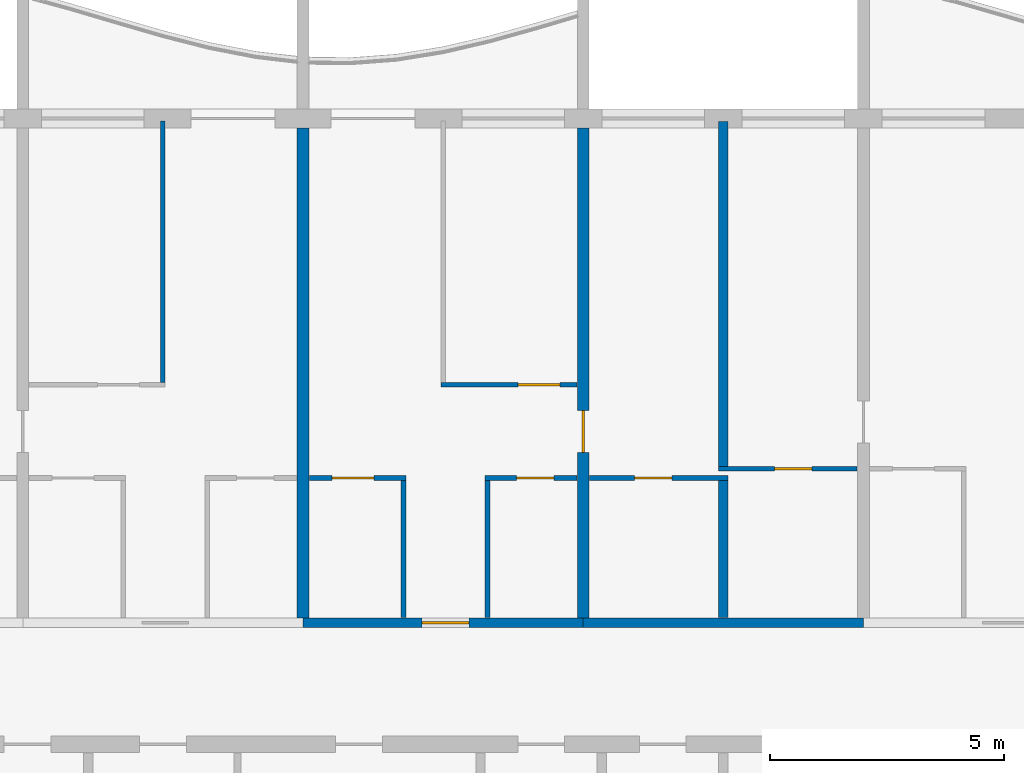
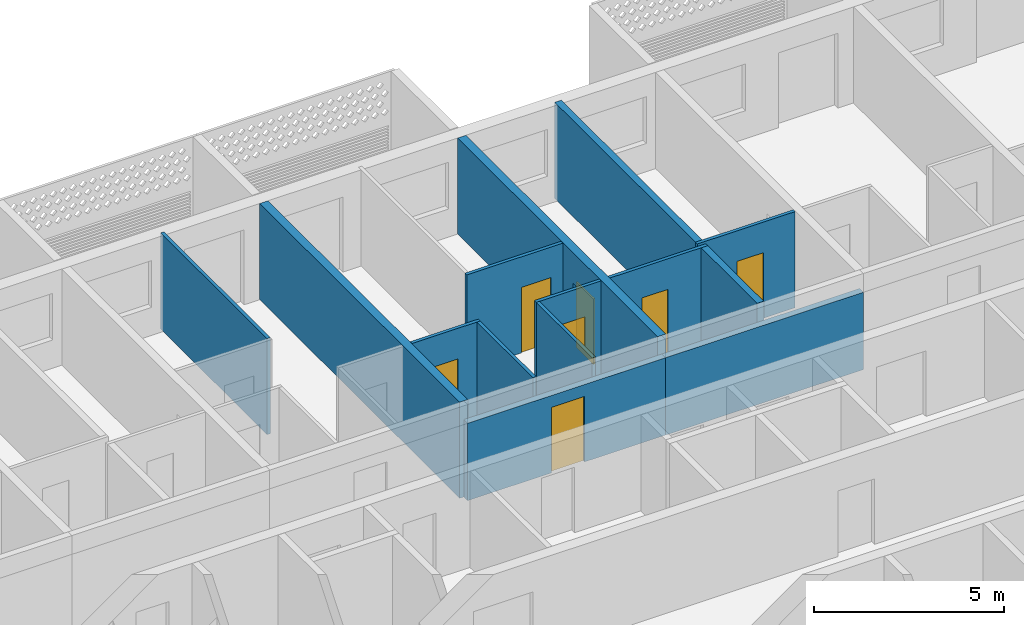
# One storey, part 9 of 27: 14 walls, 7 doors, 7 openings.
"""IFC4 building model written with IfcOpenShell, lengths in metres."""

import ifcopenshell
import ifcopenshell.guid

model = None  # the IFC model being written
_history = None  # IfcOwnerHistory: only IFC2X3 demands one
_inside = {}  # id of a spatial element -> (the spatial element, [elements in it])
_under = {}  # id of a project, library or spatial element -> (it, [spatial elements below it])
_declared = {}  # id of a project -> (the project, [libraries it declares])
_typed = {}  # id of a type object -> (the type object, [elements of that type])
_made_of = {}  # id of a material, layer set ... -> (it, [elements and type objects made of it])


def new_model(schema):
    """Start an empty IFC model of exactly this schema.

    Asked for "IFC4X3", IfcOpenShell would pick the latest addendum, in which some entities
    have other attributes; the version numbers below select the first issue.
    IFC2X3 requires an IfcOwnerHistory on every rooted entity: one is made here for all.
    """
    global model, _history
    if schema == "IFC4X3":
        model = ifcopenshell.file(schema_version=(4, 3, 0, 0))
    else:
        model = ifcopenshell.file(schema=schema)
    _inside.clear()
    _under.clear()
    _declared.clear()
    _typed.clear()
    _made_of.clear()
    _history = None
    if model.schema == "IFC2X3":
        org = make("IfcOrganization", Name="unknown")
        user = make(
            "IfcPersonAndOrganization",
            ThePerson=make("IfcPerson", FamilyName="unknown"),
            TheOrganization=org,
        )
        app = make(
            "IfcApplication",
            ApplicationDeveloper=org,
            Version="unknown",
            ApplicationFullName="unknown",
            ApplicationIdentifier="unknown",
        )
        _history = make(
            "IfcOwnerHistory",
            OwningUser=user,
            OwningApplication=app,
            ChangeAction="ADDED",
            CreationDate=0,
        )
    return model


def make(cls, **values):
    """One entity of the class cls with the attributes given. An attribute that is None is left unset."""
    return model.create_entity(
        cls, **{name: value for name, value in values.items() if value is not None}
    )


def rooted(cls, **values):
    """An entity with a GlobalId (a new one), such as an element, a storey or a relation."""
    return make(cls, GlobalId=ifcopenshell.guid.new(), OwnerHistory=_history, **values)


def si_unit(unit_type, name, prefix=None):
    """IfcSIUnit, for example si_unit("LENGTHUNIT", "METRE", prefix="MILLI")."""
    return make("IfcSIUnit", UnitType=unit_type, Prefix=prefix, Name=name)


def assignment(units):
    """IfcUnitAssignment: the units of a project."""
    return None if units is None else make("IfcUnitAssignment", Units=units)


def point(xyz):
    """IfcCartesianPoint."""
    return None if xyz is None else make("IfcCartesianPoint", Coordinates=xyz)


def direction(xyz):
    """IfcDirection."""
    return None if xyz is None else make("IfcDirection", DirectionRatios=xyz)


def frame(location, z_axis=None, x_axis=None):
    """IfcAxis2Placement3D, a coordinate frame: its origin and axes. An axis left out is left unset."""
    return make(
        "IfcAxis2Placement3D",
        Location=point(location),
        Axis=direction(z_axis),
        RefDirection=direction(x_axis),
    )


def frame_2d(location, x_axis=None):
    """IfcAxis2Placement2D, a coordinate frame in the plane: its origin and x axis."""
    return make(
        "IfcAxis2Placement2D", Location=point(location), RefDirection=direction(x_axis)
    )


def origin():
    """The frame at (0, 0, 0) with its axes left unset."""
    return frame((0.0, 0.0, 0.0))


def place(relative_to, where):
    """IfcLocalPlacement: puts the frame where relative to a parent placement (None: the world)."""
    return make(
        "IfcLocalPlacement", PlacementRelTo=relative_to, RelativePlacement=where
    )


def context(
    kind, dimensions, precision=None, world=None, true_north=None, identifier=None
):
    """IfcGeometricRepresentationContext, for example the 3D "Model" context."""
    return make(
        "IfcGeometricRepresentationContext",
        ContextIdentifier=identifier,
        ContextType=kind,
        CoordinateSpaceDimension=dimensions,
        Precision=precision,
        WorldCoordinateSystem=world,
        TrueNorth=true_north,
    )


def subcontext(parent, identifier, kind, view, scale=None):
    """IfcGeometricRepresentationSubContext, for example "Body" below "Model"."""
    return make(
        "IfcGeometricRepresentationSubContext",
        ContextIdentifier=identifier,
        ContextType=kind,
        ParentContext=parent,
        TargetScale=scale,
        TargetView=view,
    )


def project(units=None, contexts=None):
    """IfcProject with its units and contexts."""
    return rooted(
        "IfcProject",
        Name="project",
        RepresentationContexts=contexts,
        UnitsInContext=assignment(units),
    )


def spatial(cls, under=None, at=None, **own):
    """A site, building, storey or space (cls), placed at a placement, below another one or the project."""
    s = rooted(cls, ObjectPlacement=at, **own)
    if under is not None:
        _under.setdefault(under.id(), (under, []))[1].append(s)
    return s


def profile(cls, at=None, kind="AREA", **sizes):
    """A parametric profile (cls). Its sizes go by their IFC names, for example OverallWidth=200.0."""
    return make(cls, ProfileType=kind, Position=at, **sizes)


def rectangle(**sizes):
    """IfcRectangleProfileDef."""
    return profile("IfcRectangleProfileDef", **sizes)


def extrude(swept, where, along, depth):
    """IfcExtrudedAreaSolid: the profile swept, set in the frame where, extruded along a direction by depth."""
    return make(
        "IfcExtrudedAreaSolid",
        SweptArea=swept,
        Position=where,
        ExtrudedDirection=direction(along),
        Depth=depth,
    )


def shape(context_of_items, identifier, shape_type, items):
    """IfcShapeRepresentation: the items that make up one representation, for example the "Body"."""
    return make(
        "IfcShapeRepresentation",
        ContextOfItems=context_of_items,
        RepresentationIdentifier=identifier,
        RepresentationType=shape_type,
        Items=items,
    )


def material(Name=None, Category=None):
    """IfcMaterial."""
    return make("IfcMaterial", Name=Name, Category=Category)


def layer(
    of_material, thickness, ventilated=None, Name=None, Category=None, Priority=None
):
    """IfcMaterialLayer: one layer of a wall or slab, of a material (None: an air gap)."""
    return make(
        "IfcMaterialLayer",
        Material=of_material,
        LayerThickness=thickness,
        IsVentilated=ventilated,
        Name=Name,
        Category=Category,
        Priority=Priority,
    )


def layer_set(layers, Name=None):
    """IfcMaterialLayerSet."""
    return make("IfcMaterialLayerSet", MaterialLayers=layers, LayerSetName=Name)


def made_of(thing, what):
    """Note that an element or type object is made of a material, layer set ...; save() writes the relation."""
    if what is not None:
        _made_of.setdefault(what.id(), (what, []))[1].append(thing)
    return thing


def type_object(cls, material=None, **own):
    """A type object (cls), such as IfcWallType, which elements share."""
    return made_of(rooted(cls, **own), material)


def element(
    cls,
    number,
    at=None,
    inside=None,
    cuts=None,
    type_object=None,
    material=None,
    context=None,
    identifier="Body",
    shape_type=None,
    held_by="IfcProductDefinitionShape",
    body=None,
    shapes=None,
    **own,
):
    """One element of the class cls, such as IfcWall. Its Tag is "e" and its number.

    at: its placement. inside: the storey or other place that contains it. cuts: it is an
    opening in that element (IfcRelVoidsElement). A single representation is given by context,
    identifier, shape_type and body (its items); several are given by shapes. held_by: the class
    of the entity that holds the representations. save() writes the other relations.
    """
    e = rooted(cls, Tag="e%d" % number, ObjectPlacement=at, **own)
    if body is not None:
        shapes = [shape(context, identifier, shape_type, body)]
    if shapes is not None:
        e.Representation = make(held_by, Representations=shapes)
    if inside is not None:
        _inside.setdefault(inside.id(), (inside, []))[1].append(e)
    if cuts is not None:
        rooted(
            "IfcRelVoidsElement", RelatingBuildingElement=cuts, RelatedOpeningElement=e
        )
    if type_object is not None:
        _typed.setdefault(type_object.id(), (type_object, []))[1].append(e)
    return made_of(e, material)


def fill(opening, filler):
    """IfcRelFillsElement: the door or window that sits in an opening."""
    return rooted(
        "IfcRelFillsElement",
        RelatingOpeningElement=opening,
        RelatedBuildingElement=filler,
    )


def aggregate(whole, parts):
    """IfcRelAggregates: a whole, such as a stair, and the parts it consists of."""
    return rooted("IfcRelAggregates", RelatingObject=whole, RelatedObjects=parts)


def save(model, path):
    """Write the relations noted so far, then the file.

    IfcRelAggregates (storeys below a building ...), IfcRelContainedInSpatialStructure (elements
    in a storey), IfcRelDefinesByType, IfcRelAssociatesMaterial and IfcRelDeclares: one each for
    every whole, place, type object, material and project.
    """
    for whole, parts in _under.values():
        aggregate(whole, parts)
    for where, things in _inside.values():
        rooted(
            "IfcRelContainedInSpatialStructure",
            RelatedElements=things,
            RelatingStructure=where,
        )
    for kind, things in _typed.values():
        rooted("IfcRelDefinesByType", RelatedObjects=things, RelatingType=kind)
    for what, things in _made_of.values():
        rooted("IfcRelAssociatesMaterial", RelatedObjects=things, RelatingMaterial=what)
    for by, libraries in _declared.values():
        rooted("IfcRelDeclares", RelatingContext=by, RelatedDefinitions=libraries)
    model.write(path)


model = new_model("IFC4")

# Units and contexts
model_context = context("Model", 3, precision=1e-05, world=origin(), true_north=direction((0.0, 1.0)))
body_context = subcontext(model_context, "Body", "Model", "MODEL_VIEW")
ifc_project = project(units=[si_unit("LENGTHUNIT", "METRE"), si_unit("AREAUNIT", "SQUARE_METRE"), si_unit("VOLUMEUNIT", "CUBIC_METRE"), si_unit("PLANEANGLEUNIT", "RADIAN"), si_unit("MASSUNIT", "GRAM", prefix="KILO")], contexts=[model_context])

# Site, building, storey
site_placement = place(None, origin())
site = spatial("IfcSite", under=ifc_project, at=site_placement, CompositionType="ELEMENT")
building_placement = place(site_placement, origin())
building = spatial("IfcBuilding", under=site, at=building_placement, Name="Poui Terraces", CompositionType="ELEMENT")
storey_placement = place(building_placement, frame((0.0, 0.0, 254.39990234375)))
storey = spatial("IfcBuildingStorey", under=building, at=storey_placement, Name="L71", CompositionType="ELEMENT", Elevation=254.39990234375)

# Wall, opening, door
ifc_material_1 = material(Name="Concrete 50 MPa", Category="concrete")
ifc_layer_1 = layer(ifc_material_1, 0.199951171875)
ifc_layer_set_1 = layer_set([ifc_layer_1], Name="Concrete 50 MPa")
wall_type_1 = type_object("IfcWallType", Name="CORRIDOR WALL 200 50MPa", PredefinedType="SHEAR", material=ifc_layer_set_1)
wall_1_placement = place(storey_placement, frame((54.0, 30.39990234375, 0.0), z_axis=(0.0, 0.0, 1.0), x_axis=(1.0, 0.0, 0.0)))
wall_1 = element("IfcWall", 1, at=wall_1_placement, inside=storey, type_object=wall_type_1, Name="CORRIDOR WALL LINE E BAY 7", PredefinedType="SHEAR", context=body_context, shape_type="SweptSolid", body=[
    extrude(rectangle(XDim=6.0, YDim=0.199951171875, at=frame_2d((3.0, 0.0))), origin(), (0.0, 0.0, 1.0), 2.47998046875),
])
opening_1_placement = place(wall_1_placement, frame((2.550048828125, 0.0, 0.0)))
opening_1 = element("IfcOpeningElement", 2, at=opening_1_placement, cuts=wall_1, Name="Opening FD30S", PredefinedType="OPENING", context=body_context, shape_type="SweptSolid", body=[
    extrude(rectangle(XDim=1.0, YDim=2.10009765625, at=frame_2d((0.5, 1.050048828125))), frame((0.0, 0.10986328125, 0.0), z_axis=(0.0, -1.0, 0.0), x_axis=(1.0, 0.0, 0.0)), (0.0, 0.0, 1.0), 0.219970703125),
])
ifc_material_2 = material(Name="Steel fire door", Category="steel")
door_type_1 = type_object("IfcDoorType", Name="FLAT ENTRANCE DOOR 1000 X 2100", OperationType="NOTDEFINED", PredefinedType="DOOR", material=ifc_material_2)
door_1_placement = place(opening_1_placement, origin())
door_1 = element("IfcDoor", 3, at=door_1_placement, inside=storey, type_object=door_type_1, Name="FLAT ENTRANCE DOOR 048", OperationType="SINGLE_SWING_RIGHT", OverallHeight=2.10009765625, OverallWidth=1.0, PredefinedType="DOOR", context=body_context, shape_type="SweptSolid", body=[
    extrude(rectangle(XDim=1.0, YDim=2.10009765625, at=frame_2d((0.5, 1.050048828125))), frame((0.0, 0.02490234375, 0.0), z_axis=(0.0, -1.0, 0.0), x_axis=(1.0, 0.0, 0.0)), (0.0, 0.0, 1.0), 0.050048828125),
])
fill(opening_1, door_1)

# Walls
wall_2_placement = place(storey_placement, frame((60.0, 30.39990234375, 0.0), z_axis=(0.0, 0.0, 1.0), x_axis=(1.0, 0.0, 0.0)))
element("IfcWall", 4, at=wall_2_placement, inside=storey, type_object=wall_type_1, Name="CORRIDOR WALL LINE E BAY 8", PredefinedType="SHEAR", context=body_context, shape_type="SweptSolid", body=[
    extrude(rectangle(XDim=6.0, YDim=0.199951171875, at=frame_2d((3.0, 0.0))), origin(), (0.0, 0.0, 1.0), 2.47998046875),
])
ifc_layer_2 = layer(ifc_material_1, 0.25)
ifc_layer_set_2 = layer_set([ifc_layer_2], Name="Concrete 50 MPa")
wall_type_2 = type_object("IfcWallType", Name="CROSS WALL 250 50MPa", PredefinedType="SHEAR", material=ifc_layer_set_2)
wall_3_placement = place(storey_placement, frame((54.0, 30.5, 0.0), z_axis=(0.0, 0.0, 1.0), x_axis=(0.0, 1.0, 0.0)))
element("IfcWall", 5, at=wall_3_placement, inside=storey, type_object=wall_type_2, Name="CROSS WALL LINE 10 NORTH", PredefinedType="SHEAR", context=body_context, shape_type="SweptSolid", body=[
    extrude(rectangle(XDim=10.5, YDim=0.25, at=frame_2d((5.25, 0.0))), origin(), (0.0, 0.0, 1.0), 3.080078125),
])

# Wall, opening, door
wall_4_placement = place(storey_placement, frame((60.0, 30.5, 0.0), z_axis=(0.0, 0.0, 1.0), x_axis=(0.0, 1.0, 0.0)))
wall_4 = element("IfcWall", 6, at=wall_4_placement, inside=storey, type_object=wall_type_2, Name="CROSS WALL LINE 11 NORTH", PredefinedType="SHEAR", context=body_context, shape_type="SweptSolid", body=[
    extrude(rectangle(XDim=10.5, YDim=0.25, at=frame_2d((5.25, 0.0))), origin(), (0.0, 0.0, 1.0), 3.080078125),
])
opening_2_placement = place(wall_4_placement, frame((3.550048828125, 0.0, 0.0)))
opening_2 = element("IfcOpeningElement", 7, at=opening_2_placement, cuts=wall_4, Name="Opening D90", PredefinedType="OPENING", context=body_context, shape_type="SweptSolid", body=[
    extrude(rectangle(XDim=0.89990234375, YDim=2.10009765625, at=frame_2d((0.449951171875, 1.050048828125))), frame((0.0, 0.135009765625, 0.0), z_axis=(0.0, -1.0, 0.0), x_axis=(1.0, 0.0, 0.0)), (0.0, 0.0, 1.0), 0.27001953125),
])
ifc_material_3 = material(Name="Solid core timber door", Category="wood")
door_type_2 = type_object("IfcDoorType", Name="INTERNAL DOOR 900 X 2100", OperationType="NOTDEFINED", PredefinedType="DOOR", material=ifc_material_3)
door_2_placement = place(opening_2_placement, frame((0.89990234375, 0.0, 0.0), z_axis=(0.0, 0.0, 1.0), x_axis=(-1.0, 0.0, 0.0)))
door_2 = element("IfcDoor", 8, at=door_2_placement, inside=storey, type_object=door_type_2, Name="INTERNAL DOOR 051", OperationType="SINGLE_SWING_RIGHT", OverallHeight=2.10009765625, OverallWidth=0.89990234375, PredefinedType="DOOR", context=body_context, shape_type="SweptSolid", body=[
    extrude(rectangle(XDim=0.89990234375, YDim=2.10009765625, at=frame_2d((0.449951171875, 1.050048828125))), frame((0.0, 0.02490234375, 0.0), z_axis=(0.0, -1.0, 0.0), x_axis=(1.0, 0.0, 0.0)), (0.0, 0.0, 1.0), 0.050048828125),
])
fill(opening_2, door_2)

ifc_material_4 = material(Name="Plasterboard partition")
ifc_layer_3 = layer(ifc_material_4, 0.10009765625)
ifc_layer_set_3 = layer_set([ifc_layer_3], Name="Plasterboard partition")
wall_type_3 = type_object("IfcWallType", Name="FLAT PARTITION 100", PredefinedType="PARTITIONING", material=ifc_layer_set_3)
wall_5_placement = place(storey_placement, frame((54.135009765625, 33.5, 0.0), z_axis=(0.0, 0.0, 1.0), x_axis=(1.0, 0.0, 0.0)))
wall_5 = element("IfcWall", 9, at=wall_5_placement, inside=storey, type_object=wall_type_3, Name="FLAT PARTITION 100", PredefinedType="PARTITIONING", context=body_context, shape_type="SweptSolid", body=[
    extrude(rectangle(XDim=2.06494140625, YDim=0.10009765625, at=frame_2d((1.032470703125, 0.0))), origin(), (0.0, 0.0, 1.0), 3.080078125),
])
opening_3_placement = place(wall_5_placement, frame((0.489990234375, 0.0, 0.0)))
opening_3 = element("IfcOpeningElement", 10, at=opening_3_placement, cuts=wall_5, Name="Opening D90", PredefinedType="OPENING", context=body_context, shape_type="SweptSolid", body=[
    extrude(rectangle(XDim=0.89990234375, YDim=2.10009765625, at=frame_2d((0.449951171875, 1.050048828125))), frame((0.0, 0.06005859375, 0.0), z_axis=(0.0, -1.0, 0.0), x_axis=(1.0, 0.0, 0.0)), (0.0, 0.0, 1.0), 0.1201171875),
])
door_3_placement = place(opening_3_placement, frame((0.89990234375, 0.0, 0.0), z_axis=(0.0, 0.0, 1.0), x_axis=(-1.0, 0.0, 0.0)))
door_3 = element("IfcDoor", 11, at=door_3_placement, inside=storey, type_object=door_type_2, Name="INTERNAL DOOR 047", OperationType="SINGLE_SWING_RIGHT", OverallHeight=2.10009765625, OverallWidth=0.89990234375, PredefinedType="DOOR", context=body_context, shape_type="SweptSolid", body=[
    extrude(rectangle(XDim=0.89990234375, YDim=2.10009765625, at=frame_2d((0.449951171875, 1.050048828125))), frame((0.0, 0.02490234375, 0.0), z_axis=(0.0, -1.0, 0.0), x_axis=(1.0, 0.0, 0.0)), (0.0, 0.0, 1.0), 0.050048828125),
])
fill(opening_3, door_3)

wall_6_placement = place(storey_placement, frame((57.89990234375, 33.5, 0.0), z_axis=(0.0, 0.0, 1.0), x_axis=(1.0, 0.0, 0.0)))
wall_6 = element("IfcWall", 12, at=wall_6_placement, inside=storey, type_object=wall_type_3, Name="FLAT PARTITION 100", PredefinedType="PARTITIONING", context=body_context, shape_type="SweptSolid", body=[
    extrude(rectangle(XDim=1.965087890625, YDim=0.10009765625, at=frame_2d((0.982421875, 0.0))), origin(), (0.0, 0.0, 1.0), 3.080078125),
])
opening_4_placement = place(wall_6_placement, frame((0.675048828125, 0.0, 0.0)))
opening_4 = element("IfcOpeningElement", 13, at=opening_4_placement, cuts=wall_6, Name="Opening D80", PredefinedType="OPENING", context=body_context, shape_type="SweptSolid", body=[
    extrude(rectangle(XDim=0.800048828125, YDim=2.10009765625, at=frame_2d((0.39990234375, 1.050048828125))), frame((0.0, 0.06005859375, 0.0), z_axis=(0.0, -1.0, 0.0), x_axis=(1.0, 0.0, 0.0)), (0.0, 0.0, 1.0), 0.1201171875),
])
door_type_3 = type_object("IfcDoorType", Name="BATHROOM, LAUNDRY AND STORE DOOR 800 X 2100", OperationType="NOTDEFINED", PredefinedType="DOOR", material=ifc_material_3)
door_4_placement = place(opening_4_placement, frame((0.800048828125, 0.0, 0.0), z_axis=(0.0, 0.0, 1.0), x_axis=(-1.0, 0.0, 0.0)))
door_4 = element("IfcDoor", 14, at=door_4_placement, inside=storey, type_object=door_type_3, Name="BATHROOM, LAUNDRY AND STORE DOOR 049", OperationType="SINGLE_SWING_LEFT", OverallHeight=2.10009765625, OverallWidth=0.800048828125, PredefinedType="DOOR", context=body_context, shape_type="SweptSolid", body=[
    extrude(rectangle(XDim=0.800048828125, YDim=2.10009765625, at=frame_2d((0.39990234375, 1.050048828125))), frame((0.0, 0.02490234375, 0.0), z_axis=(0.0, -1.0, 0.0), x_axis=(1.0, 0.0, 0.0)), (0.0, 0.0, 1.0), 0.050048828125),
])
fill(opening_4, door_4)

wall_7_placement = place(storey_placement, frame((60.135009765625, 33.5, 0.0), z_axis=(0.0, 0.0, 1.0), x_axis=(1.0, 0.0, 0.0)))
wall_7 = element("IfcWall", 15, at=wall_7_placement, inside=storey, type_object=wall_type_3, Name="FLAT PARTITION 100", PredefinedType="PARTITIONING", context=body_context, shape_type="SweptSolid", body=[
    extrude(rectangle(XDim=2.965087890625, YDim=0.10009765625, at=frame_2d((1.482421875, 0.0))), origin(), (0.0, 0.0, 1.0), 3.080078125),
])
opening_5_placement = place(wall_7_placement, frame((0.965087890625, 0.0, 0.0)))
opening_5 = element("IfcOpeningElement", 16, at=opening_5_placement, cuts=wall_7, Name="Opening D80", PredefinedType="OPENING", context=body_context, shape_type="SweptSolid", body=[
    extrude(rectangle(XDim=0.800048828125, YDim=2.10009765625, at=frame_2d((0.39990234375, 1.050048828125))), frame((0.0, 0.06005859375, 0.0), z_axis=(0.0, -1.0, 0.0), x_axis=(1.0, 0.0, 0.0)), (0.0, 0.0, 1.0), 0.1201171875),
])
door_5_placement = place(opening_5_placement, frame((0.800048828125, 0.0, 0.0), z_axis=(0.0, 0.0, 1.0), x_axis=(-1.0, 0.0, 0.0)))
door_5 = element("IfcDoor", 17, at=door_5_placement, inside=storey, type_object=door_type_3, Name="BATHROOM, LAUNDRY AND STORE DOOR 046", OperationType="SINGLE_SWING_RIGHT", OverallHeight=2.10009765625, OverallWidth=0.800048828125, PredefinedType="DOOR", context=body_context, shape_type="SweptSolid", body=[
    extrude(rectangle(XDim=0.800048828125, YDim=2.10009765625, at=frame_2d((0.39990234375, 1.050048828125))), frame((0.0, 0.02490234375, 0.0), z_axis=(0.0, -1.0, 0.0), x_axis=(1.0, 0.0, 0.0)), (0.0, 0.0, 1.0), 0.050048828125),
])
fill(opening_5, door_5)

wall_8_placement = place(storey_placement, frame((62.89990234375, 33.699951171875, 0.0), z_axis=(0.0, 0.0, 1.0), x_axis=(1.0, 0.0, 0.0)))
wall_8 = element("IfcWall", 18, at=wall_8_placement, inside=storey, type_object=wall_type_3, Name="FLAT PARTITION 100", PredefinedType="PARTITIONING", context=body_context, shape_type="SweptSolid", body=[
    extrude(rectangle(XDim=2.965087890625, YDim=0.10009765625, at=frame_2d((1.482421875, 0.0))), origin(), (0.0, 0.0, 1.0), 3.080078125),
])
opening_6_placement = place(wall_8_placement, frame((1.199951171875, 0.0, 0.0)))
opening_6 = element("IfcOpeningElement", 19, at=opening_6_placement, cuts=wall_8, Name="Opening D80", PredefinedType="OPENING", context=body_context, shape_type="SweptSolid", body=[
    extrude(rectangle(XDim=0.800048828125, YDim=2.10009765625, at=frame_2d((0.39990234375, 1.050048828125))), frame((0.0, 0.06005859375, 0.0), z_axis=(0.0, -1.0, 0.0), x_axis=(1.0, 0.0, 0.0)), (0.0, 0.0, 1.0), 0.1201171875),
])
door_6_placement = place(opening_6_placement, frame((0.800048828125, 0.0, 0.0), z_axis=(0.0, 0.0, 1.0), x_axis=(-1.0, 0.0, 0.0)))
door_6 = element("IfcDoor", 20, at=door_6_placement, inside=storey, type_object=door_type_3, Name="BATHROOM, LAUNDRY AND STORE DOOR 052", OperationType="SINGLE_SWING_LEFT", OverallHeight=2.10009765625, OverallWidth=0.800048828125, PredefinedType="DOOR", context=body_context, shape_type="SweptSolid", body=[
    extrude(rectangle(XDim=0.800048828125, YDim=2.10009765625, at=frame_2d((0.39990234375, 1.050048828125))), frame((0.0, 0.02490234375, 0.0), z_axis=(0.0, -1.0, 0.0), x_axis=(1.0, 0.0, 0.0)), (0.0, 0.0, 1.0), 0.050048828125),
])
fill(opening_6, door_6)

wall_9_placement = place(storey_placement, frame((56.949951171875, 35.5, 0.0), z_axis=(0.0, 0.0, 1.0), x_axis=(1.0, 0.0, 0.0)))
wall_9 = element("IfcWall", 21, at=wall_9_placement, inside=storey, type_object=wall_type_3, Name="FLAT PARTITION 100", PredefinedType="PARTITIONING", context=body_context, shape_type="SweptSolid", body=[
    extrude(rectangle(XDim=2.9150390625, YDim=0.10009765625, at=frame_2d((1.45751953125, 0.0))), origin(), (0.0, 0.0, 1.0), 3.080078125),
])
opening_7_placement = place(wall_9_placement, frame((1.64990234375, 0.0, 0.0)))
opening_7 = element("IfcOpeningElement", 22, at=opening_7_placement, cuts=wall_9, Name="Opening D90", PredefinedType="OPENING", context=body_context, shape_type="SweptSolid", body=[
    extrude(rectangle(XDim=0.89990234375, YDim=2.10009765625, at=frame_2d((0.449951171875, 1.050048828125))), frame((0.0, 0.06005859375, 0.0), z_axis=(0.0, -1.0, 0.0), x_axis=(1.0, 0.0, 0.0)), (0.0, 0.0, 1.0), 0.1201171875),
])
door_7_placement = place(opening_7_placement, frame((0.89990234375, 0.0, 0.0), z_axis=(0.0, 0.0, 1.0), x_axis=(-1.0, 0.0, 0.0)))
door_7 = element("IfcDoor", 23, at=door_7_placement, inside=storey, type_object=door_type_2, Name="INTERNAL DOOR 050", OperationType="SINGLE_SWING_RIGHT", OverallHeight=2.10009765625, OverallWidth=0.89990234375, PredefinedType="DOOR", context=body_context, shape_type="SweptSolid", body=[
    extrude(rectangle(XDim=0.89990234375, YDim=2.10009765625, at=frame_2d((0.449951171875, 1.050048828125))), frame((0.0, 0.02490234375, 0.0), z_axis=(0.0, -1.0, 0.0), x_axis=(1.0, 0.0, 0.0)), (0.0, 0.0, 1.0), 0.050048828125),
])
fill(opening_7, door_7)

# Walls
wall_10_placement = place(storey_placement, frame((51.0, 35.550048828125, 0.0), z_axis=(0.0, 0.0, 1.0), x_axis=(0.0, 1.0, 0.0)))
element("IfcWall", 24, at=wall_10_placement, inside=storey, type_object=wall_type_3, Name="FLAT PARTITION 100", PredefinedType="PARTITIONING", context=body_context, shape_type="SweptSolid", body=[
    extrude(rectangle(XDim=5.58984375, YDim=0.10009765625, at=frame_2d((2.794921875, 0.0))), origin(), (0.0, 0.0, 1.0), 3.080078125),
])
for number, where, z_axis, x_axis, name in (
    (25, (56.14990234375, 30.510009765625, 0.0), (0.0, 0.0, 1.0), (0.0, 1.0, 0.0), "FLAT PARTITION 100"),
    (26, (57.949951171875, 30.510009765625, 0.0), (0.0, 0.0, 1.0), (0.0, 1.0, 0.0), "FLAT PARTITION 100"),
):
    element("IfcWall", number, at=place(storey_placement, frame(where, z_axis=z_axis, x_axis=x_axis)), inside=storey, type_object=wall_type_3, Name=name, PredefinedType="PARTITIONING", context=body_context, shape_type="SweptSolid", body=[
        extrude(rectangle(XDim=2.93994140625, YDim=0.10009765625, at=frame_2d((1.469970703125, 0.0))), origin(), (0.0, 0.0, 1.0), 3.080078125),
    ])
ifc_material_5 = material(Name="Fire-rated masonry wall", Category="masonry")
ifc_layer_4 = layer(ifc_material_5, 0.199951171875)
ifc_layer_set_4 = layer_set([ifc_layer_4], Name="Fire-rated masonry wall")
wall_type_4 = type_object("IfcWallType", Name="FLAT PARTY WALL 200", PredefinedType="PARTITIONING", material=ifc_layer_set_4)
wall_11_placement = place(storey_placement, frame((63.0, 30.510009765625, 0.0), z_axis=(0.0, 0.0, 1.0), x_axis=(0.0, 1.0, 0.0)))
element("IfcWall", 27, at=wall_11_placement, inside=storey, type_object=wall_type_4, Name="FLAT PARTY WALL 200", PredefinedType="PARTITIONING", context=body_context, shape_type="SweptSolid", body=[
    extrude(rectangle(XDim=2.93994140625, YDim=0.199951171875, at=frame_2d((1.469970703125, 0.0))), origin(), (0.0, 0.0, 1.0), 3.080078125),
])
wall_12_placement = place(storey_placement, frame((63.0, 33.75, 0.0), z_axis=(0.0, 0.0, 1.0), x_axis=(0.0, 1.0, 0.0)))
element("IfcWall", 28, at=wall_12_placement, inside=storey, type_object=wall_type_4, Name="FLAT PARTY WALL 200", PredefinedType="PARTITIONING", context=body_context, shape_type="SweptSolid", body=[
    extrude(rectangle(XDim=7.389892578125, YDim=0.199951171875, at=frame_2d((3.69482421875, 0.0))), origin(), (0.0, 0.0, 1.0), 3.080078125),
])

save(model, "model.ifc")
